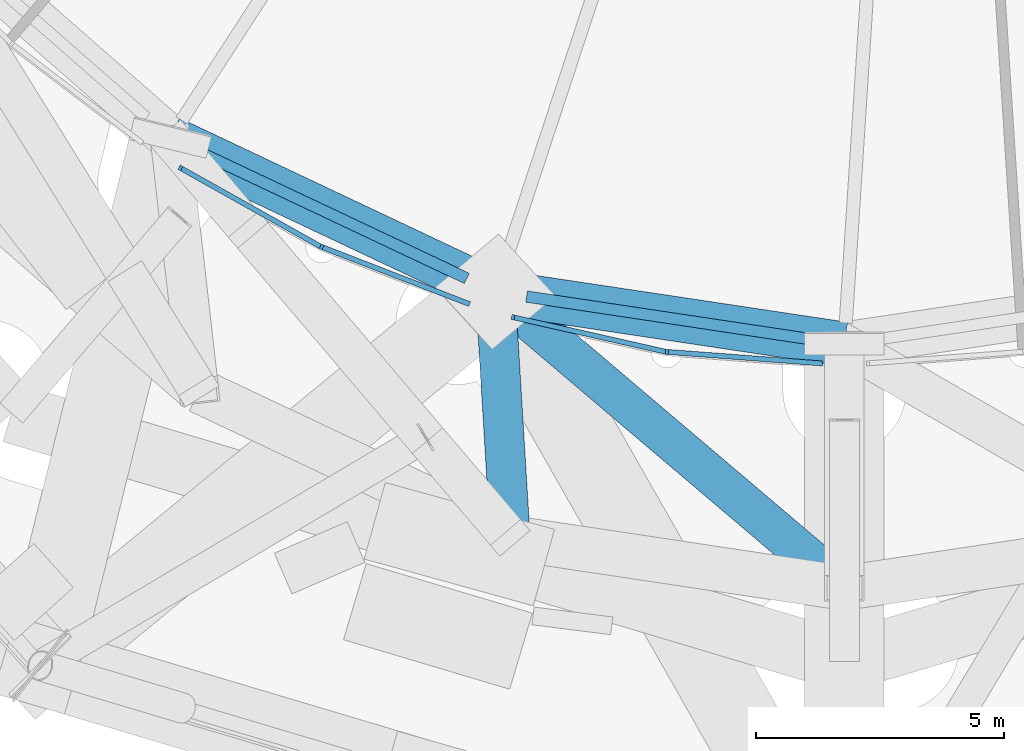
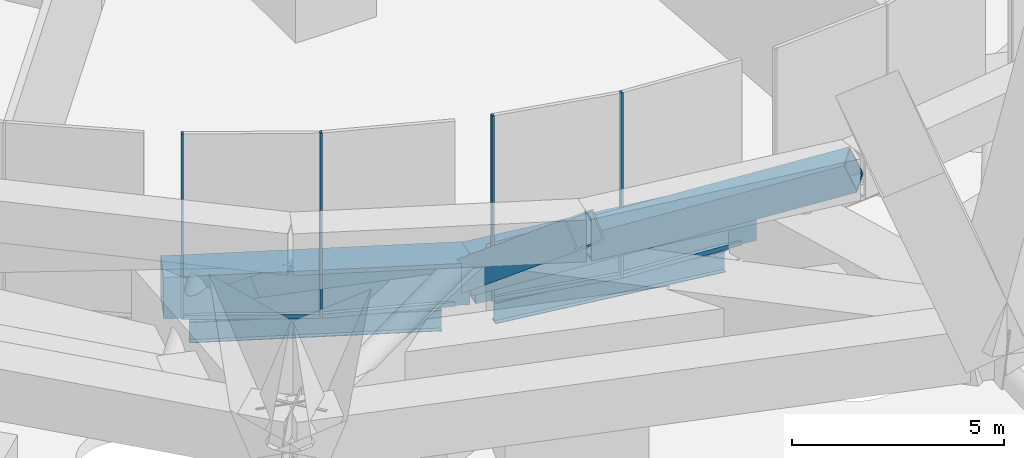
# One storey, part 2 of 65: 8 members, 6 beams, 4 elements without a shape of their own.
"""IFC4 building model written with IfcOpenShell, lengths in metres."""

from ifc_helpers import new_model, si_unit, direction, frame, origin, origin_2d, place, context, subcontext, project, spatial, rectangle, hollow_rectangle, i_section, extrude, material, layer, layer_set, material_profile, profile_set, type_object, element, aggregate, save


model = new_model("IFC4")

# Units and contexts
model_context = context("Model", 3, precision=1e-05, world=origin(), true_north=direction((0.0, 1.0)))
body_context = subcontext(model_context, "Body", "Model", "MODEL_VIEW")
ifc_project = project(units=[si_unit("LENGTHUNIT", "METRE"), si_unit("AREAUNIT", "SQUARE_METRE"), si_unit("VOLUMEUNIT", "CUBIC_METRE"), si_unit("PLANEANGLEUNIT", "RADIAN"), si_unit("MASSUNIT", "GRAM", prefix="KILO")], contexts=[model_context])

# Site, building, storey
site_placement = place(None, origin())
site = spatial("IfcSite", under=ifc_project, at=site_placement, CompositionType="ELEMENT")
building_placement = place(site_placement, origin())
building = spatial("IfcBuilding", under=site, at=building_placement, Name="Nagisa Residences", CompositionType="ELEMENT")
storey_placement = place(building_placement, frame((0.0, 0.0, 114.0)))
storey = spatial("IfcBuildingStorey", under=building, at=storey_placement, Name="L28", CompositionType="ELEMENT", Elevation=114.0)

# Beams
ifc_material_1 = material(Name="Steel ASTM A572 Gr 50", Category="steel")
ifc_material_profile_1 = material_profile(ifc_material_1, hollow_rectangle(XDim=0.89990234375, YDim=1.199951171875, WallThickness=0.050048828125, at=origin_2d()), Name="BX 900x1200x50")
ifc_profile_set_1 = profile_set([ifc_material_profile_1], Name="Steel ASTM A572 Gr 50")
beam_type_1 = type_object("IfcBeamType", Name="Belt chord 2 BX 900x1200x50", PredefinedType="BEAM", material=ifc_profile_set_1)
beam_1_placement = place(storey_placement, frame((-15.3974609375, -23.7421875, 0.60009765625), z_axis=(0.904186908597, -0.427137020547, 0.0), x_axis=(0.427137020547, 0.904186908597, 0.0)))
element("IfcBeam", 1, at=beam_1_placement, inside=storey, type_object=beam_type_1, Name="beam:L28:bt2b17", PredefinedType="BEAM", context=body_context, shape_type="SweptSolid", body=[
    extrude(hollow_rectangle(XDim=0.89990234375, YDim=1.199951171875, WallThickness=0.050048828125, at=origin_2d()), origin(), (0.0, 0.0, 1.0), 7.25390625),
])
beam_2_placement = place(storey_placement, frame((-8.838623046875, -26.840576171875, 0.60009765625), z_axis=(0.988918733765, -0.148457866103, 0.0), x_axis=(0.148457866103, 0.988918733765, 0.0)))
element("IfcBeam", 2, at=beam_2_placement, inside=storey, type_object=beam_type_1, Name="beam:L28:bt2b18", PredefinedType="BEAM", context=body_context, shape_type="SweptSolid", body=[
    extrude(hollow_rectangle(XDim=0.89990234375, YDim=1.199951171875, WallThickness=0.050048828125, at=origin_2d()), origin(), (0.0, 0.0, 1.0), 7.117431640625),
])
ifc_material_2 = material(Name="Steel ASTM A572 Gr 50", Category="steel")
ifc_material_profile_2 = material_profile(ifc_material_2, hollow_rectangle(XDim=0.800048828125, YDim=0.800048828125, WallThickness=0.044921875, at=origin_2d()), Name="BX 800x800x45")
ifc_profile_set_2 = profile_set([ifc_material_profile_2], Name="Steel ASTM A572 Gr 50")
beam_type_2 = type_object("IfcBeamType", Name="Belt diagonal 2 BX 800x800x45", PredefinedType="BEAM", material=ifc_profile_set_2)
beam_3_placement = place(storey_placement, frame((-8.838623046875, -26.840576171875, 0.60009765625), z_axis=(0.04642887338, -0.766906845899, 0.640076752764), x_axis=(0.998172450062, 0.060429793453, 0.0)))
element("IfcBeam", 3, at=beam_3_placement, inside=storey, type_object=beam_type_2, Name="beam:L28:bt2da18", PredefinedType="BEAM", context=body_context, shape_type="SweptSolid", body=[
    extrude(hollow_rectangle(XDim=0.800048828125, YDim=0.800048828125, WallThickness=0.044921875, at=origin_2d()), origin(), (0.0, 0.0, 1.0), 6.4677734375),
])
beam_4_placement = place(storey_placement, frame((-8.838623046875, -26.840576171875, 0.60009765625), z_axis=(0.695740166509, -0.590329377494, 0.40921491514), x_axis=(0.646980244122, 0.762506763062, 0.0)))
element("IfcBeam", 4, at=beam_4_placement, inside=storey, type_object=beam_type_2, Name="beam:L28:bt2db18", PredefinedType="BEAM", context=body_context, shape_type="SweptSolid", body=[
    extrude(hollow_rectangle(XDim=0.800048828125, YDim=0.800048828125, WallThickness=0.044921875, at=origin_2d()), origin(), (0.0, 0.0, 1.0), 10.11669921875),
])

# Curtain wall, member
ifc_material_3 = material(Name="Aluminium curtain wall system", Category="aluminium")
ifc_layer = layer(ifc_material_3, 0.159912109375)
ifc_layer_set = layer_set([ifc_layer], Name="CW5 CURTAIN WALL")
curtain_wall_type = type_object("IfcCurtainWallType", Name="CW5 CURTAIN WALL", PredefinedType="NOTDEFINED", material=ifc_layer_set)
curtain_wall_1_placement = place(storey_placement, origin())
curtain_wall_1 = element("IfcCurtainWall", 5, at=curtain_wall_1_placement, inside=storey, type_object=curtain_wall_type, Name="cw:CW5:L28:32", PredefinedType="NOTDEFINED")
ifc_material_4 = material(Name="Aluminium", Category="aluminium")
ifc_material_profile_3 = material_profile(ifc_material_4, rectangle(XDim=0.10009765625, YDim=0.06005859375, at=origin_2d()), Name="CW5 MULLION 100x60")
ifc_profile_set_3 = profile_set([ifc_material_profile_3], Name="Aluminium")
member_type_1 = type_object("IfcMemberType", Name="CW5 MULLION 100x60", PredefinedType="MULLION", material=ifc_profile_set_3)
member_1_placement = place(storey_placement, frame((-15.189697265625, -24.34033203125, 0.0), z_axis=(0.0, 0.0, 1.0), x_axis=(0.489376918501, 0.872072377523, 0.0)))
member_1 = element("IfcMember", 6, at=member_1_placement, type_object=member_type_1, Name="CW5 mullion", PredefinedType="MULLION", context=body_context, shape_type="SweptSolid", body=[
    extrude(rectangle(XDim=0.10009765625, YDim=0.06005859375, at=origin_2d()), origin(), (0.0, 0.0, 1.0), 5.340087890625),
])

curtain_wall_2_placement = place(storey_placement, origin())
curtain_wall_2 = element("IfcCurtainWall", 7, at=curtain_wall_2_placement, inside=storey, type_object=curtain_wall_type, Name="cw:CW5:L28:33", PredefinedType="NOTDEFINED")
member_2_placement = place(storey_placement, frame((-12.341552734375, -25.9345703125, 0.0), z_axis=(0.0, 0.0, 1.0), x_axis=(0.360327770268, 0.932825759707, 0.0)))
member_2 = element("IfcMember", 8, at=member_2_placement, type_object=member_type_1, Name="CW5 mullion", PredefinedType="MULLION", context=body_context, shape_type="SweptSolid", body=[
    extrude(rectangle(XDim=0.10009765625, YDim=0.06005859375, at=origin_2d()), origin(), (0.0, 0.0, 1.0), 5.340087890625),
])

curtain_wall_3_placement = place(storey_placement, origin())
curtain_wall_3 = element("IfcCurtainWall", 9, at=curtain_wall_3_placement, inside=storey, type_object=curtain_wall_type, Name="cw:CW5:L28:34", PredefinedType="NOTDEFINED")
member_3_placement = place(storey_placement, frame((-8.482177734375, -27.351318359375, 0.0), z_axis=(0.0, 0.0, 1.0), x_axis=(0.2207639201, 0.975327274089, 0.0)))
member_3 = element("IfcMember", 10, at=member_3_placement, type_object=member_type_1, Name="CW5 mullion", PredefinedType="MULLION", context=body_context, shape_type="SweptSolid", body=[
    extrude(rectangle(XDim=0.10009765625, YDim=0.06005859375, at=origin_2d()), origin(), (0.0, 0.0, 1.0), 5.340087890625),
])

curtain_wall_4_placement = place(storey_placement, origin())
curtain_wall_4 = element("IfcCurtainWall", 11, at=curtain_wall_4_placement, inside=storey, type_object=curtain_wall_type, Name="cw:CW5:L28:35", PredefinedType="NOTDEFINED")
member_4_placement = place(storey_placement, frame((-5.379150390625, -28.050048828125, 0.0), z_axis=(0.0, 0.0, 1.0), x_axis=(0.074377355493, 0.997230168512, 0.0)))
member_4 = element("IfcMember", 12, at=member_4_placement, type_object=member_type_1, Name="CW5 mullion", PredefinedType="MULLION", context=body_context, shape_type="SweptSolid", body=[
    extrude(rectangle(XDim=0.10009765625, YDim=0.06005859375, at=origin_2d()), origin(), (0.0, 0.0, 1.0), 5.340087890625),
])

# Member
ifc_material_5 = material(Name="Aluminium", Category="aluminium")
ifc_material_profile_4 = material_profile(ifc_material_5, rectangle(XDim=0.10009765625, YDim=0.1201171875, at=origin_2d()), Name="CW5 TRANSOM 100x120")
ifc_profile_set_4 = profile_set([ifc_material_profile_4], Name="Aluminium")
member_type_2 = type_object("IfcMemberType", Name="CW5 TRANSOM 100x120", PredefinedType="USERDEFINED", material=ifc_profile_set_4)
member_5_placement = place(storey_placement, frame((-15.2158203125, -24.325439453125, 0.06005859375), z_axis=(0.872028992985, -0.48945422196, 0.0), x_axis=(0.48945422196, 0.872028992985, 0.0)))
member_5 = element("IfcMember", 13, at=member_5_placement, type_object=member_type_2, Name="CW5 transom", ObjectType="TRANSOM", PredefinedType="USERDEFINED", context=body_context, shape_type="SweptSolid", body=[
    extrude(rectangle(XDim=0.10009765625, YDim=0.1201171875, at=origin_2d()), origin(), (0.0, 0.0, 1.0), 3.275634765625),
])

aggregate(curtain_wall_1, [member_1, member_5])

member_6_placement = place(storey_placement, frame((-12.36962890625, -25.923828125, 0.06005859375), z_axis=(0.932839740795, -0.360291573581, 0.0), x_axis=(0.360291573581, 0.932839740795, 0.0)))
member_6 = element("IfcMember", 14, at=member_6_placement, type_object=member_type_2, Name="CW5 transom", ObjectType="TRANSOM", PredefinedType="USERDEFINED", context=body_context, shape_type="SweptSolid", body=[
    extrude(rectangle(XDim=0.10009765625, YDim=0.1201171875, at=origin_2d()), origin(), (0.0, 0.0, 1.0), 3.2275390625),
])

aggregate(curtain_wall_2, [member_2, member_6])

member_7_placement = place(storey_placement, frame((-8.511474609375, -27.3447265625, 0.06005859375), z_axis=(0.975332248719, -0.220741941208, 0.0), x_axis=(0.220741941208, 0.975332248719, 0.0)))
member_7 = element("IfcMember", 15, at=member_7_placement, type_object=member_type_2, Name="CW5 transom", ObjectType="TRANSOM", PredefinedType="USERDEFINED", context=body_context, shape_type="SweptSolid", body=[
    extrude(rectangle(XDim=0.10009765625, YDim=0.1201171875, at=origin_2d()), origin(), (0.0, 0.0, 1.0), 3.193115234375),
])

aggregate(curtain_wall_3, [member_3, member_7])

member_8_placement = place(storey_placement, frame((-5.408935546875, -28.0478515625, 0.06005859375), z_axis=(0.99722562959, -0.074438187033, 0.0), x_axis=(0.074438187033, 0.99722562959, 0.0)))
member_8 = element("IfcMember", 16, at=member_8_placement, type_object=member_type_2, Name="CW5 transom", ObjectType="TRANSOM", PredefinedType="USERDEFINED", context=body_context, shape_type="SweptSolid", body=[
    extrude(rectangle(XDim=0.10009765625, YDim=0.1201171875, at=origin_2d()), origin(), (0.0, 0.0, 1.0), 3.1748046875),
])

aggregate(curtain_wall_4, [member_4, member_8])

# Beams
ifc_material_6 = material(Name="Steel ASTM A572 Gr 50", Category="steel")
ifc_material_profile_5 = material_profile(ifc_material_6, i_section(OverallWidth=0.22900390625, OverallDepth=0.612060546875, WebThickness=0.011962890625, FlangeThickness=0.01953125, at=origin_2d()), Name="W610x125")
ifc_profile_set_5 = profile_set([ifc_material_profile_5], Name="Steel ASTM A572 Gr 50")
beam_type_3 = type_object("IfcBeamType", Name="Perimeter ring beam W610x125", PredefinedType="BEAM", material=ifc_profile_set_5)
beam_5_placement = place(storey_placement, frame((-14.822021484375, -24.013916015625, -0.656005859375), z_axis=(0.90418952838, -0.427131474804, 0.0), x_axis=(0.427131474804, 0.90418952838, 0.0)))
element("IfcBeam", 17, at=beam_5_placement, inside=storey, type_object=beam_type_3, Name="beam:L28:pb17", PredefinedType="BEAM", context=body_context, shape_type="SweptSolid", body=[
    extrude(i_section(OverallWidth=0.22900390625, OverallDepth=0.612060546875, WebThickness=0.011962890625, FlangeThickness=0.01953125, at=origin_2d()), origin(), (0.0, 0.0, 1.0), 5.98046875),
])
beam_6_placement = place(storey_placement, frame((-8.20849609375, -26.93505859375, -0.656005859375), z_axis=(0.988913048607, -0.148495731568, 0.0), x_axis=(0.148495731568, 0.988913048607, 0.0)))
element("IfcBeam", 18, at=beam_6_placement, inside=storey, type_object=beam_type_3, Name="beam:L28:pb18", PredefinedType="BEAM", context=body_context, shape_type="SweptSolid", body=[
    extrude(i_section(OverallWidth=0.22900390625, OverallDepth=0.612060546875, WebThickness=0.011962890625, FlangeThickness=0.01953125, at=origin_2d()), origin(), (0.0, 0.0, 1.0), 5.843017578125),
])

save(model, "model.ifc")
